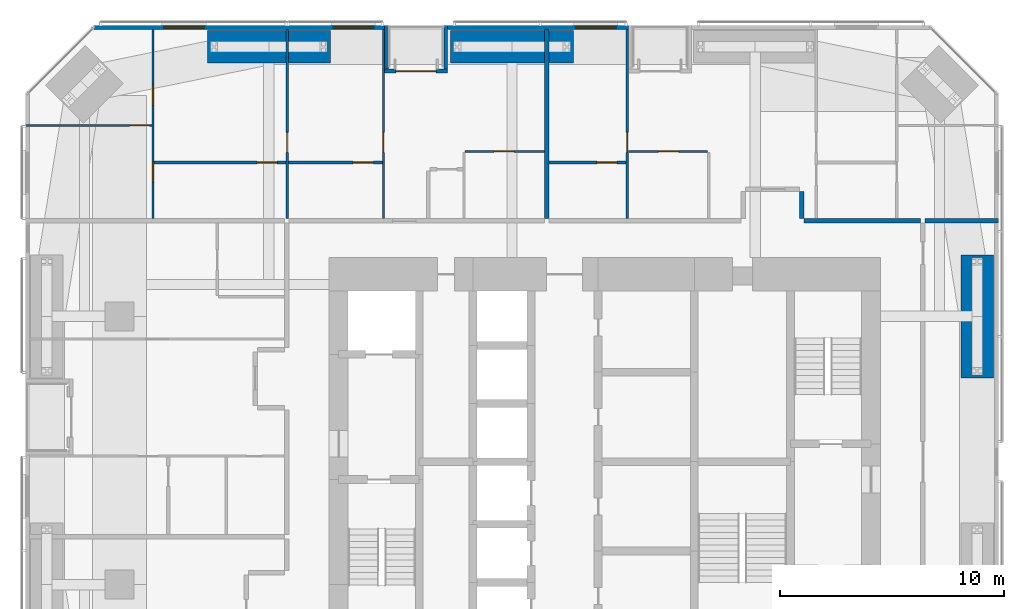
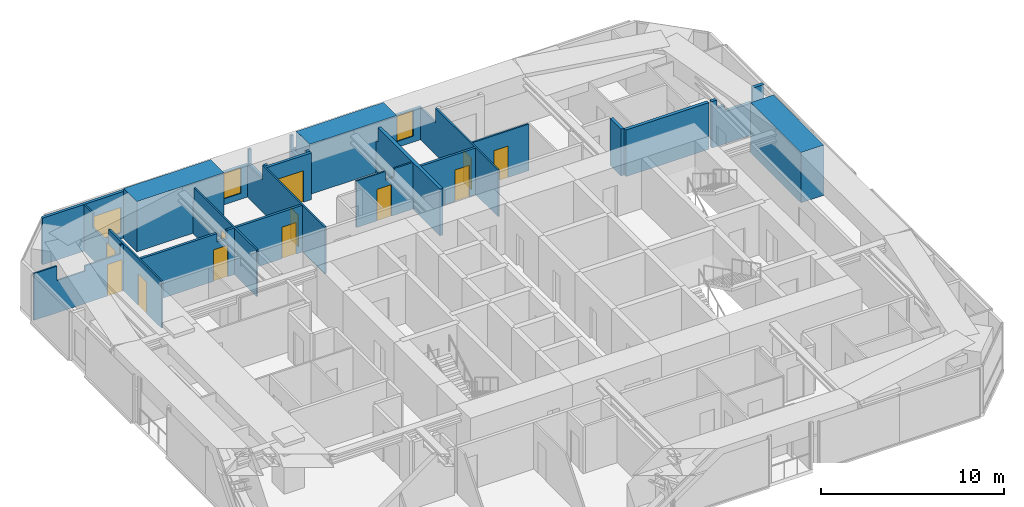
# One storey, part 22 of 24: 22 walls, 12 doors, 3 windows, 15 openings.
"""IFC4 building model written with IfcOpenShell, lengths in metres."""

from ifc_helpers import new_model, si_unit, direction, frame, frame_2d, origin, place, context, subcontext, project, spatial, polyline, rectangle, outline, extrude, material, layer, layer_set, constituent, constituent_set, type_object, element, fill, save


model = new_model("IFC4")

# Units and contexts
model_context = context("Model", 3, precision=1e-05, world=origin(), true_north=direction((0.0, 1.0)))
body_context = subcontext(model_context, "Body", "Model", "MODEL_VIEW")
ifc_project = project(units=[si_unit("LENGTHUNIT", "METRE"), si_unit("AREAUNIT", "SQUARE_METRE"), si_unit("VOLUMEUNIT", "CUBIC_METRE"), si_unit("PLANEANGLEUNIT", "RADIAN"), si_unit("MASSUNIT", "GRAM", prefix="KILO")], contexts=[model_context])

# Site, building, storey
site_placement = place(None, origin())
site = spatial("IfcSite", under=ifc_project, at=site_placement, CompositionType="ELEMENT")
building_placement = place(site_placement, origin())
building = spatial("IfcBuilding", under=site, at=building_placement, Name="Jalousie Tower", CompositionType="ELEMENT")
storey_placement = place(building_placement, frame((0.0, 0.0, 128.300048828125)))
storey = spatial("IfcBuildingStorey", under=building, at=storey_placement, Name="L35", CompositionType="ELEMENT", Elevation=128.300048828125)

# Wall, opening, door
ifc_material_1 = material(Name="Concrete block ASTM C90", Category="concrete")
ifc_constituent_1 = constituent(ifc_material_1, Name="Body")
ifc_material_2 = material(Name="Render")
ifc_constituent_2 = constituent(ifc_material_2, Name="Finish")
ifc_constituent_set_1 = constituent_set(constituents=[ifc_constituent_1, ifc_constituent_2])
wall_type_1 = type_object("IfcWallType", Name="BATHROOM WALL 150", PredefinedType="PLUMBINGWALL", material=ifc_constituent_set_1)
wall_1_placement = place(storey_placement, frame((11.75, 31.875, 0.0), z_axis=(0.0, 0.0, 1.0), x_axis=(1.0, 0.0, 0.0)))
wall_1 = element("IfcWall", 1, at=wall_1_placement, inside=storey, type_object=wall_type_1, Name="Bathroom Wall 150 L35", PredefinedType="PLUMBINGWALL", context=body_context, shape_type="SweptSolid", body=[
    extrude(outline(polyline([(0.0, 0.0), (5.89990234375, 0.0), (5.89990234375, 3.10986328125), (5.4375, 3.10986328125), (5.4375, 2.541015625), (4.8125, 2.541015625), (4.8125, 3.10986328125), (0.0, 3.10986328125), (0.0, 0.0)])), frame((0.0, 0.074951171875, 0.0), z_axis=(0.0, -1.0, 0.0), x_axis=(1.0, 0.0, 0.0)), (0.0, 0.0, 1.0), 0.14990234375),
])
opening_1_placement = place(wall_1_placement, frame((4.60009765625, 0.0, 0.0)))
opening_1 = element("IfcOpeningElement", 2, at=opening_1_placement, cuts=wall_1, Name="Opening D3", PredefinedType="OPENING", context=body_context, shape_type="SweptSolid", body=[
    extrude(rectangle(XDim=0.89990234375, YDim=2.10009765625, at=frame_2d((0.449951171875, 1.050048828125))), frame((0.0, 0.0849609375, 0.0), z_axis=(0.0, -1.0, 0.0), x_axis=(1.0, 0.0, 0.0)), (0.0, 0.0, 1.0), 0.169921875),
])
ifc_material_3 = material(Name="Timber door", Category="wood")
door_type_1 = type_object("IfcDoorType", Name="BATHROOM DOOR 900", OperationType="SINGLE_SWING_LEFT", PredefinedType="DOOR", material=ifc_material_3)
door_1_placement = place(opening_1_placement, frame((0.89990234375, 0.0, 0.0), z_axis=(0.0, 0.0, 1.0), x_axis=(-1.0, 0.0, 0.0)))
door_1 = element("IfcDoor", 3, at=door_1_placement, inside=storey, type_object=door_type_1, Name="Apartment 3503 bedroom 2 bathroom door", OperationType="SINGLE_SWING_LEFT", OverallHeight=2.10009765625, OverallWidth=0.89990234375, PredefinedType="DOOR", context=body_context, shape_type="SweptSolid", body=[
    extrude(rectangle(XDim=0.89990234375, YDim=2.10009765625, at=frame_2d((0.449951171875, 1.050048828125))), frame((0.0, 0.02490234375, 0.0), z_axis=(0.0, -1.0, 0.0), x_axis=(1.0, 0.0, 0.0)), (0.0, 0.0, 1.0), 0.050048828125),
])
fill(opening_1, door_1)

wall_2_placement = place(storey_placement, frame((17.75, 31.875, 0.0), z_axis=(0.0, 0.0, 1.0), x_axis=(1.0, 0.0, 0.0)))
wall_2 = element("IfcWall", 4, at=wall_2_placement, inside=storey, type_object=wall_type_1, Name="Bathroom Wall 150 L35", PredefinedType="PLUMBINGWALL", context=body_context, shape_type="SweptSolid", body=[
    extrude(rectangle(XDim=4.199951171875, YDim=0.14990234375, at=frame_2d((2.10009765625, 0.0))), origin(), (0.0, 0.0, 1.0), 3.10986328125),
])
opening_2_placement = place(wall_2_placement, frame((2.89990234375, 0.0, 0.0)))
opening_2 = element("IfcOpeningElement", 5, at=opening_2_placement, cuts=wall_2, Name="Opening D3", PredefinedType="OPENING", context=body_context, shape_type="SweptSolid", body=[
    extrude(rectangle(XDim=0.89990234375, YDim=2.10009765625, at=frame_2d((0.449951171875, 1.050048828125))), frame((0.0, 0.0849609375, 0.0), z_axis=(0.0, -1.0, 0.0), x_axis=(1.0, 0.0, 0.0)), (0.0, 0.0, 1.0), 0.169921875),
])
door_2_placement = place(opening_2_placement, frame((0.89990234375, 0.0, 0.0), z_axis=(0.0, 0.0, 1.0), x_axis=(-1.0, 0.0, 0.0)))
door_2 = element("IfcDoor", 6, at=door_2_placement, inside=storey, type_object=door_type_1, Name="Apartment 3503 bedroom 3 bathroom door", OperationType="SINGLE_SWING_LEFT", OverallHeight=2.10009765625, OverallWidth=0.89990234375, PredefinedType="DOOR", context=body_context, shape_type="SweptSolid", body=[
    extrude(rectangle(XDim=0.89990234375, YDim=2.10009765625, at=frame_2d((0.449951171875, 1.050048828125))), frame((0.0, 0.02490234375, 0.0), z_axis=(0.0, -1.0, 0.0), x_axis=(1.0, 0.0, 0.0)), (0.0, 0.0, 1.0), 0.050048828125),
])
fill(opening_2, door_2)

wall_3_placement = place(storey_placement, frame((29.39990234375, 31.875, 0.0), z_axis=(0.0, 0.0, 1.0), x_axis=(1.0, 0.0, 0.0)))
wall_3 = element("IfcWall", 7, at=wall_3_placement, inside=storey, type_object=wall_type_1, Name="Bathroom Wall 150 L35", PredefinedType="PLUMBINGWALL", context=body_context, shape_type="SweptSolid", body=[
    extrude(rectangle(XDim=3.4501953125, YDim=0.14990234375, at=frame_2d((1.72509765625, 0.0))), origin(), (0.0, 0.0, 1.0), 3.10986328125),
])
opening_3_placement = place(wall_3_placement, frame((2.14990234375, 0.0, 0.0)))
opening_3 = element("IfcOpeningElement", 8, at=opening_3_placement, cuts=wall_3, Name="Opening D3", PredefinedType="OPENING", context=body_context, shape_type="SweptSolid", body=[
    extrude(rectangle(XDim=0.89990234375, YDim=2.10009765625, at=frame_2d((0.449951171875, 1.050048828125))), frame((0.0, 0.0849609375, 0.0), z_axis=(0.0, -1.0, 0.0), x_axis=(1.0, 0.0, 0.0)), (0.0, 0.0, 1.0), 0.169921875),
])
door_3_placement = place(opening_3_placement, frame((0.89990234375, 0.0, 0.0), z_axis=(0.0, 0.0, 1.0), x_axis=(-1.0, 0.0, 0.0)))
door_3 = element("IfcDoor", 9, at=door_3_placement, inside=storey, type_object=door_type_1, Name="Apartment 3504 bedroom 1 bathroom door", OperationType="SINGLE_SWING_LEFT", OverallHeight=2.10009765625, OverallWidth=0.89990234375, PredefinedType="DOOR", context=body_context, shape_type="SweptSolid", body=[
    extrude(rectangle(XDim=0.89990234375, YDim=2.10009765625, at=frame_2d((0.449951171875, 1.050048828125))), frame((0.0, 0.02490234375, 0.0), z_axis=(0.0, -1.0, 0.0), x_axis=(1.0, 0.0, 0.0)), (0.0, 0.0, 1.0), 0.050048828125),
])
fill(opening_3, door_3)

# Walls
ifc_material_4 = material(Name="Concrete block ASTM C90", Category="concrete")
ifc_constituent_3 = constituent(ifc_material_4, Name="Body")
ifc_material_5 = material(Name="Render")
ifc_constituent_4 = constituent(ifc_material_5, Name="Finish")
ifc_constituent_set_2 = constituent_set(constituents=[ifc_constituent_3, ifc_constituent_4])
wall_type_2 = type_object("IfcWallType", Name="CORRIDOR WALL 200", PredefinedType="PARTITIONING", material=ifc_constituent_set_2)
wall_4_placement = place(storey_placement, frame((40.800048828125, 29.27490234375, 0.0), z_axis=(0.0, 0.0, 1.0), x_axis=(1.0, 0.0, 0.0)))
element("IfcWall", 10, at=wall_4_placement, inside=storey, type_object=wall_type_2, Name="Corridor Wall 200 L35", PredefinedType="PARTITIONING", context=body_context, shape_type="SweptSolid", body=[
    extrude(rectangle(XDim=5.224853515625, YDim=0.199951171875, at=frame_2d((2.6123046875, 0.0))), origin(), (0.0, 0.0, 1.0), 3.10986328125),
])
wall_5_placement = place(storey_placement, frame((40.699951171875, 29.375, 0.0), z_axis=(0.0, 0.0, 1.0), x_axis=(0.0, 1.0, 0.0)))
element("IfcWall", 11, at=wall_5_placement, inside=storey, type_object=wall_type_2, Name="Corridor Wall 200 L35", PredefinedType="PARTITIONING", context=body_context, shape_type="SweptSolid", body=[
    extrude(rectangle(XDim=1.199951171875, YDim=0.199951171875, at=frame_2d((0.60009765625, 0.0))), origin(), (0.0, 0.0, 1.0), 3.10986328125),
])

# Wall, opening, window
ifc_material_6 = material(Name="Concrete f'c 40 MPa", Category="concrete")
ifc_constituent_5 = constituent(ifc_material_6, Name="Body")
ifc_material_7 = material(Name="Render, pastel sea green")
ifc_constituent_6 = constituent(ifc_material_7, Name="Finish")
ifc_constituent_set_3 = constituent_set(constituents=[ifc_constituent_5, ifc_constituent_6])
wall_type_3 = type_object("IfcWallType", Name="EXTERNAL WALL 175 SEA GREEN RENDER", PredefinedType="SOLIDWALL", material=ifc_constituent_set_3)
wall_6_placement = place(storey_placement, frame((32.949951171875, 37.91259765625, 0.0), z_axis=(0.0, 0.0, 1.0), x_axis=(-1.0, 0.0, 0.0)))
wall_6 = element("IfcWall", 12, at=wall_6_placement, inside=storey, type_object=wall_type_3, Name="External Wall 175 Sea Green Render L35", PredefinedType="SOLIDWALL", context=body_context, shape_type="SweptSolid", body=[
    extrude(rectangle(XDim=8.074951171875, YDim=0.175048828125, at=frame_2d((4.03759765625, 0.0))), origin(), (0.0, 0.0, 1.0), 2.14990234375),
])
opening_4_placement = place(wall_6_placement, frame((0.550048828125, 0.0, 0.39990234375)))
opening_4 = element("IfcOpeningElement", 13, at=opening_4_placement, cuts=wall_6, Name="Opening W-BED170", PredefinedType="OPENING", context=body_context, shape_type="SweptSolid", body=[
    extrude(rectangle(XDim=1.800048828125, YDim=1.699951171875, at=frame_2d((0.89990234375, 0.85009765625))), frame((0.0, 0.097412109375, 0.0), z_axis=(0.0, -1.0, 0.0), x_axis=(1.0, 0.0, 0.0)), (0.0, 0.0, 1.0), 0.195068359375),
])
ifc_material_8 = material(Name="Aluminium frame, impact-rated glazing", Category="aluminium")
window_type = type_object("IfcWindowType", Name="WINDOW BED 1800x1700", PartitioningType="SINGLE_PANEL", PredefinedType="WINDOW", material=ifc_material_8)
window_1_placement = place(opening_4_placement, origin())
window_1 = element("IfcWindow", 14, at=window_1_placement, inside=storey, type_object=window_type, Name="Apartment 3504 bedroom 1 window", OverallHeight=1.699951171875, OverallWidth=1.800048828125, PartitioningType="SINGLE_PANEL", PredefinedType="WINDOW", context=body_context, shape_type="SweptSolid", body=[
    extrude(rectangle(XDim=1.800048828125, YDim=1.699951171875, at=frame_2d((0.89990234375, 0.85009765625))), frame((0.0, 0.030029296875, 0.0), z_axis=(0.0, -1.0, 0.0), x_axis=(1.0, 0.0, 0.0)), (0.0, 0.0, 1.0), 0.06005859375),
])
fill(opening_4, window_1)

# Wall, openings, windows
wall_7_placement = place(storey_placement, frame((22.050048828125, 37.91259765625, 0.0), z_axis=(0.0, 0.0, 1.0), x_axis=(-1.0, 0.0, 0.0)))
wall_7 = element("IfcWall", 15, at=wall_7_placement, inside=storey, type_object=wall_type_3, Name="External Wall 175 Sea Green Render L35", PredefinedType="SOLIDWALL", context=body_context, shape_type="SweptSolid", body=[
    extrude(outline(polyline([(0.0, 0.0), (12.998779296875, 0.0), (12.998779296875, 3.10986328125), (5.37841796875, 3.10986328125), (5.37841796875, 2.14990234375), (5.3330078125, 2.14990234375), (5.3330078125, 3.10986328125), (5.175048828125, 3.10986328125), (5.175048828125, 2.14990234375), (0.0, 2.14990234375), (0.0, 0.0)])), frame((0.0, 0.08740234375, 0.0), z_axis=(0.0, -1.0, 0.0), x_axis=(1.0, 0.0, 0.0)), (0.0, 0.0, 1.0), 0.175048828125),
])
opening_5_placement = place(wall_7_placement, frame((0.492431640625, 0.0, 0.39990234375)))
opening_5 = element("IfcOpeningElement", 16, at=opening_5_placement, cuts=wall_7, Name="Opening W-BED170", PredefinedType="OPENING", context=body_context, shape_type="SweptSolid", body=[
    extrude(rectangle(XDim=1.800048828125, YDim=1.699951171875, at=frame_2d((0.89990234375, 0.85009765625))), frame((0.0, 0.097412109375, 0.0), z_axis=(0.0, -1.0, 0.0), x_axis=(1.0, 0.0, 0.0)), (0.0, 0.0, 1.0), 0.195068359375),
])
opening_6_placement = place(wall_7_placement, frame((8.06494140625, 0.0, 0.39990234375)))
opening_6 = element("IfcOpeningElement", 17, at=opening_6_placement, cuts=wall_7, Name="Opening W-BED170", PredefinedType="OPENING", context=body_context, shape_type="SweptSolid", body=[
    extrude(rectangle(XDim=1.800048828125, YDim=1.699951171875, at=frame_2d((0.89990234375, 0.85009765625))), frame((0.0, 0.097412109375, 0.0), z_axis=(0.0, -1.0, 0.0), x_axis=(1.0, 0.0, 0.0)), (0.0, 0.0, 1.0), 0.195068359375),
])
window_2_placement = place(opening_5_placement, origin())
window_2 = element("IfcWindow", 18, at=window_2_placement, inside=storey, type_object=window_type, Name="Apartment 3503 bedroom 3 window", OverallHeight=1.699951171875, OverallWidth=1.800048828125, PartitioningType="SINGLE_PANEL", PredefinedType="WINDOW", context=body_context, shape_type="SweptSolid", body=[
    extrude(rectangle(XDim=1.800048828125, YDim=1.699951171875, at=frame_2d((0.89990234375, 0.85009765625))), frame((0.0, 0.030029296875, 0.0), z_axis=(0.0, -1.0, 0.0), x_axis=(1.0, 0.0, 0.0)), (0.0, 0.0, 1.0), 0.06005859375),
])
fill(opening_5, window_2)
window_3_placement = place(opening_6_placement, origin())
window_3 = element("IfcWindow", 19, at=window_3_placement, inside=storey, type_object=window_type, Name="Apartment 3503 bedroom 2 window", OverallHeight=1.699951171875, OverallWidth=1.800048828125, PartitioningType="SINGLE_PANEL", PredefinedType="WINDOW", context=body_context, shape_type="SweptSolid", body=[
    extrude(rectangle(XDim=1.800048828125, YDim=1.699951171875, at=frame_2d((0.89990234375, 0.85009765625))), frame((0.0, 0.030029296875, 0.0), z_axis=(0.0, -1.0, 0.0), x_axis=(1.0, 0.0, 0.0)), (0.0, 0.0, 1.0), 0.06005859375),
])
fill(opening_6, window_3)

# Wall, opening, door
wall_8_placement = place(storey_placement, frame((24.875, 35.96240234375, 0.0), z_axis=(0.0, 0.0, 1.0), x_axis=(-1.0, 0.0, 0.0)))
wall_8 = element("IfcWall", 20, at=wall_8_placement, inside=storey, type_object=wall_type_3, Name="External Wall 175 Sea Green Render L35", PredefinedType="SOLIDWALL", context=body_context, shape_type="SweptSolid", body=[
    extrude(rectangle(XDim=2.824951171875, YDim=0.175048828125, at=frame_2d((1.41259765625, 0.0))), origin(), (0.0, 0.0, 1.0), 3.10986328125),
])
opening_7_placement = place(wall_8_placement, frame((0.512451171875, 0.0, 0.0)))
opening_7 = element("IfcOpeningElement", 21, at=opening_7_placement, cuts=wall_8, Name="Opening D-BAL21", PredefinedType="OPENING", context=body_context, shape_type="SweptSolid", body=[
    extrude(rectangle(XDim=1.800048828125, YDim=2.10009765625, at=frame_2d((0.89990234375, 1.050048828125))), frame((0.0, 0.097412109375, 0.0), z_axis=(0.0, -1.0, 0.0), x_axis=(1.0, 0.0, 0.0)), (0.0, 0.0, 1.0), 0.195068359375),
])
ifc_material_9 = material(Name="Aluminium frame, impact-rated glazing", Category="aluminium")
door_type_2 = type_object("IfcDoorType", Name="BALCONY DOOR 1800x2100", OperationType="SLIDING_TO_LEFT", PredefinedType="DOOR", material=ifc_material_9)
door_4_placement = place(opening_7_placement, origin())
door_4 = element("IfcDoor", 22, at=door_4_placement, inside=storey, type_object=door_type_2, Name="Apartment 3503 living and dining room loggia door", OperationType="SLIDING_TO_LEFT", OverallHeight=2.10009765625, OverallWidth=1.800048828125, PredefinedType="DOOR", context=body_context, shape_type="SweptSolid", body=[
    extrude(rectangle(XDim=1.800048828125, YDim=2.10009765625, at=frame_2d((0.89990234375, 1.050048828125))), frame((0.0, 0.02490234375, 0.0), z_axis=(0.0, -1.0, 0.0), x_axis=(1.0, 0.0, 0.0)), (0.0, 0.0, 1.0), 0.050048828125),
])
fill(opening_7, door_4)

# Walls
for number, where, z_axis, x_axis, name in (
    (23, (24.78759765625, 38.0, 0.0), (0.0, 0.0, 1.0), (0.0, -1.0, 0.0), "External Wall 175 Sea Green Render L35"),
    (24, (22.137451171875, 38.0, 0.0), (0.0, 0.0, 1.0), (0.0, -1.0, 0.0), "External Wall 175 Sea Green Render L35"),
):
    element("IfcWall", number, at=place(storey_placement, frame(where, z_axis=z_axis, x_axis=x_axis)), inside=storey, type_object=wall_type_3, Name=name, PredefinedType="SOLIDWALL", context=body_context, shape_type="SweptSolid", body=[
        extrude(outline(polyline([(0.0, 0.0), (1.949951171875, 0.0), (1.949951171875, 3.10986328125), (1.75, 3.10986328125), (1.75, 2.14990234375), (0.14990234375, 2.14990234375), (0.14990234375, 3.10986328125), (0.0, 3.10986328125), (0.0, 0.0)])), frame((0.0, 0.08740234375, 0.0), z_axis=(0.0, -1.0, 0.0), x_axis=(1.0, 0.0, 0.0)), (0.0, 0.0, 1.0), 0.175048828125),
    ])

# Wall, openings, doors
ifc_material_10 = material(Name="Gypsum board", Category="gypsum")
ifc_constituent_7 = constituent(ifc_material_10, Name="Body")
ifc_material_11 = material(Name="Light-gauge steel studs ASTM A653 SS Grade 33", Category="steel")
ifc_constituent_8 = constituent(ifc_material_11, Name="Framing")
ifc_constituent_set_4 = constituent_set(constituents=[ifc_constituent_7, ifc_constituent_8])
wall_type_4 = type_object("IfcWallType", Name="PARTITION 100", PredefinedType="PARTITIONING", material=ifc_constituent_set_4)
wall_9_placement = place(storey_placement, frame((11.699951171875, 37.824951171875, 0.0), z_axis=(0.0, 0.0, 1.0), x_axis=(0.0, -1.0, 0.0)))
wall_9 = element("IfcWall", 25, at=wall_9_placement, inside=storey, type_object=wall_type_4, Name="Partition 100 L35", PredefinedType="PARTITIONING", context=body_context, shape_type="SweptSolid", body=[
    extrude(outline(polyline([(0.0, 0.0), (8.449951171875, 0.0), (8.449951171875, 3.10986328125), (2.708251953125, 3.10986328125), (2.708251953125, 2.14990234375), (0.952880859375, 2.14990234375), (0.952880859375, 3.10986328125), (0.0, 3.10986328125), (0.0, 0.0)])), frame((0.0, 0.050048828125, 0.0), z_axis=(0.0, -1.0, 0.0), x_axis=(1.0, 0.0, 0.0)), (0.0, 0.0, 1.0), 0.10009765625),
])
opening_8_placement = place(wall_9_placement, frame((2.48876953125, 0.0, 0.0)))
opening_8 = element("IfcOpeningElement", 26, at=opening_8_placement, cuts=wall_9, Name="Opening D2", PredefinedType="OPENING", context=body_context, shape_type="SweptSolid", body=[
    extrude(rectangle(XDim=0.89990234375, YDim=2.10009765625, at=frame_2d((0.449951171875, 1.050048828125))), frame((0.0, 0.06005859375, 0.0), z_axis=(0.0, -1.0, 0.0), x_axis=(1.0, 0.0, 0.0)), (0.0, 0.0, 1.0), 0.1201171875),
])
opening_9_placement = place(wall_9_placement, frame((5.91943359375, 0.0, 0.0)))
opening_9 = element("IfcOpeningElement", 27, at=opening_9_placement, cuts=wall_9, Name="Opening D3", PredefinedType="OPENING", context=body_context, shape_type="SweptSolid", body=[
    extrude(rectangle(XDim=0.89990234375, YDim=2.10009765625, at=frame_2d((0.449951171875, 1.050048828125))), frame((0.0, 0.06005859375, 0.0), z_axis=(0.0, -1.0, 0.0), x_axis=(1.0, 0.0, 0.0)), (0.0, 0.0, 1.0), 0.1201171875),
])
door_5_placement = place(opening_9_placement, origin())
door_5 = element("IfcDoor", 28, at=door_5_placement, inside=storey, type_object=door_type_1, Name="Apartment 3503 bedroom 1 bathroom door", OperationType="SINGLE_SWING_RIGHT", OverallHeight=2.10009765625, OverallWidth=0.89990234375, PredefinedType="DOOR", context=body_context, shape_type="SweptSolid", body=[
    extrude(rectangle(XDim=0.89990234375, YDim=2.10009765625, at=frame_2d((0.449951171875, 1.050048828125))), frame((0.0, 0.02490234375, 0.0), z_axis=(0.0, -1.0, 0.0), x_axis=(1.0, 0.0, 0.0)), (0.0, 0.0, 1.0), 0.050048828125),
])
fill(opening_9, door_5)
ifc_material_12 = material(Name="Timber door", Category="wood")
door_type_3 = type_object("IfcDoorType", Name="BEDROOM DOOR 900", OperationType="SINGLE_SWING_LEFT", PredefinedType="DOOR", material=ifc_material_12)
door_6_placement = place(opening_8_placement, origin())
door_6 = element("IfcDoor", 29, at=door_6_placement, inside=storey, type_object=door_type_3, Name="Apartment 3503 bedroom 1 door", OperationType="SINGLE_SWING_RIGHT", OverallHeight=2.10009765625, OverallWidth=0.89990234375, PredefinedType="DOOR", context=body_context, shape_type="SweptSolid", body=[
    extrude(rectangle(XDim=0.89990234375, YDim=2.10009765625, at=frame_2d((0.449951171875, 1.050048828125))), frame((0.0, 0.02490234375, 0.0), z_axis=(0.0, -1.0, 0.0), x_axis=(1.0, 0.0, 0.0)), (0.0, 0.0, 1.0), 0.050048828125),
])
fill(opening_8, door_6)

# Wall, opening, door
wall_10_placement = place(storey_placement, frame((17.699951171875, 37.824951171875, 0.0), z_axis=(0.0, 0.0, 1.0), x_axis=(0.0, -1.0, 0.0)))
wall_10 = element("IfcWall", 30, at=wall_10_placement, inside=storey, type_object=wall_type_4, Name="Partition 100 L35", PredefinedType="PARTITIONING", context=body_context, shape_type="SweptSolid", body=[
    extrude(outline(polyline([(1.635009765625, 2.14990234375), (0.0, 2.14990234375), (0.0, 0.0), (8.449951171875, 0.0), (8.449951171875, 3.10986328125), (1.635009765625, 3.10986328125), (1.635009765625, 2.14990234375)]), holes=[polyline([(1.021240234375, 0.115966796875), (0.52880859375, 0.115966796875), (0.52880859375, 0.90576171875), (1.021240234375, 0.90576171875), (1.021240234375, 0.115966796875)]), polyline([(1.021240234375, 1.244140625), (0.52880859375, 1.244140625), (0.52880859375, 2.033935546875), (1.021240234375, 2.033935546875), (1.021240234375, 1.244140625)])]), frame((0.0, 0.050048828125, 0.0), z_axis=(0.0, -1.0, 0.0), x_axis=(1.0, 0.0, 0.0)), (0.0, 0.0, 1.0), 0.10009765625),
])
opening_10_placement = place(wall_10_placement, frame((4.60009765625, 0.0, 0.0)))
opening_10 = element("IfcOpeningElement", 31, at=opening_10_placement, cuts=wall_10, Name="Opening D2", PredefinedType="OPENING", context=body_context, shape_type="SweptSolid", body=[
    extrude(rectangle(XDim=0.89990234375, YDim=2.10009765625, at=frame_2d((0.449951171875, 1.050048828125))), frame((0.0, 0.06005859375, 0.0), z_axis=(0.0, -1.0, 0.0), x_axis=(1.0, 0.0, 0.0)), (0.0, 0.0, 1.0), 0.1201171875),
])
door_7_placement = place(opening_10_placement, frame((0.89990234375, 0.0, 0.0), z_axis=(0.0, 0.0, 1.0), x_axis=(-1.0, 0.0, 0.0)))
door_7 = element("IfcDoor", 32, at=door_7_placement, inside=storey, type_object=door_type_3, Name="Apartment 3503 bedroom 2 door", OperationType="SINGLE_SWING_LEFT", OverallHeight=2.10009765625, OverallWidth=0.89990234375, PredefinedType="DOOR", context=body_context, shape_type="SweptSolid", body=[
    extrude(rectangle(XDim=0.89990234375, YDim=2.10009765625, at=frame_2d((0.449951171875, 1.050048828125))), frame((0.0, 0.02490234375, 0.0), z_axis=(0.0, -1.0, 0.0), x_axis=(1.0, 0.0, 0.0)), (0.0, 0.0, 1.0), 0.050048828125),
])
fill(opening_10, door_7)

wall_11_placement = place(storey_placement, frame((22.0, 37.824951171875, 0.0), z_axis=(0.0, 0.0, 1.0), x_axis=(0.0, -1.0, 0.0)))
wall_11 = element("IfcWall", 33, at=wall_11_placement, inside=storey, type_object=wall_type_4, Name="Partition 100 L35", PredefinedType="PARTITIONING", context=body_context, shape_type="SweptSolid", body=[
    extrude(outline(polyline([(0.0, 0.0), (8.449951171875, 0.0), (8.449951171875, 3.10986328125), (1.635009765625, 3.10986328125), (1.635009765625, 2.14990234375), (0.0, 2.14990234375), (0.0, 3.10986328125), (0.0, 0.0)])), frame((0.0, 0.050048828125, 0.0), z_axis=(0.0, -1.0, 0.0), x_axis=(1.0, 0.0, 0.0)), (0.0, 0.0, 1.0), 0.10009765625),
])
opening_11_placement = place(wall_11_placement, frame((4.60009765625, 0.0, 0.0)))
opening_11 = element("IfcOpeningElement", 34, at=opening_11_placement, cuts=wall_11, Name="Opening D2", PredefinedType="OPENING", context=body_context, shape_type="SweptSolid", body=[
    extrude(rectangle(XDim=0.89990234375, YDim=2.10009765625, at=frame_2d((0.449951171875, 1.050048828125))), frame((0.0, 0.06005859375, 0.0), z_axis=(0.0, -1.0, 0.0), x_axis=(1.0, 0.0, 0.0)), (0.0, 0.0, 1.0), 0.1201171875),
])
door_8_placement = place(opening_11_placement, frame((0.89990234375, 0.0, 0.0), z_axis=(0.0, 0.0, 1.0), x_axis=(-1.0, 0.0, 0.0)))
door_8 = element("IfcDoor", 35, at=door_8_placement, inside=storey, type_object=door_type_3, Name="Apartment 3503 bedroom 3 door", OperationType="SINGLE_SWING_LEFT", OverallHeight=2.10009765625, OverallWidth=0.89990234375, PredefinedType="DOOR", context=body_context, shape_type="SweptSolid", body=[
    extrude(rectangle(XDim=0.89990234375, YDim=2.10009765625, at=frame_2d((0.449951171875, 1.050048828125))), frame((0.0, 0.02490234375, 0.0), z_axis=(0.0, -1.0, 0.0), x_axis=(1.0, 0.0, 0.0)), (0.0, 0.0, 1.0), 0.050048828125),
])
fill(opening_11, door_8)

wall_12_placement = place(storey_placement, frame((6.0, 33.5361328125, 0.0), z_axis=(0.0, 0.0, 1.0), x_axis=(1.0, 0.0, 0.0)))
wall_12 = element("IfcWall", 36, at=wall_12_placement, inside=storey, type_object=wall_type_4, Name="Partition 100 L35", PredefinedType="PARTITIONING", context=body_context, shape_type="SweptSolid", body=[
    extrude(outline(polyline([(0.0, 0.0), (5.64990234375, 0.0), (5.64990234375, 3.10986328125), (5.4599609375, 3.10986328125), (5.4599609375, 2.510009765625), (3.20556640625, 2.510009765625), (3.20556640625, 2.14990234375), (1.462890625, 2.14990234375), (1.462890625, 3.10986328125), (0.0, 3.10986328125), (0.0, 0.0)])), frame((0.0, 0.050048828125, 0.0), z_axis=(0.0, -1.0, 0.0), x_axis=(1.0, 0.0, 0.0)), (0.0, 0.0, 1.0), 0.10009765625),
])
opening_12_placement = place(wall_12_placement, frame((4.64990234375, 0.0, 0.0)))
opening_12 = element("IfcOpeningElement", 37, at=opening_12_placement, cuts=wall_12, Name="Opening D7", PredefinedType="OPENING", context=body_context, shape_type="SweptSolid", body=[
    extrude(rectangle(XDim=0.89990234375, YDim=2.10009765625, at=frame_2d((0.449951171875, 1.050048828125))), frame((0.0, 0.06005859375, 0.0), z_axis=(0.0, -1.0, 0.0), x_axis=(1.0, 0.0, 0.0)), (0.0, 0.0, 1.0), 0.1201171875),
])
ifc_material_13 = material(Name="Timber door", Category="wood")
door_type_4 = type_object("IfcDoorType", Name="INTERNAL DOOR 900", OperationType="SINGLE_SWING_LEFT", PredefinedType="DOOR", material=ifc_material_13)
door_9_placement = place(opening_12_placement, frame((0.89990234375, 0.0, 0.0), z_axis=(0.0, 0.0, 1.0), x_axis=(-1.0, 0.0, 0.0)))
door_9 = element("IfcDoor", 38, at=door_9_placement, inside=storey, type_object=door_type_4, Name="Apartment 3503 bedroom 1 dressing hall door", OperationType="SINGLE_SWING_LEFT", OverallHeight=2.10009765625, OverallWidth=0.89990234375, PredefinedType="DOOR", context=body_context, shape_type="SweptSolid", body=[
    extrude(rectangle(XDim=0.89990234375, YDim=2.10009765625, at=frame_2d((0.449951171875, 1.050048828125))), frame((0.0, 0.02490234375, 0.0), z_axis=(0.0, -1.0, 0.0), x_axis=(1.0, 0.0, 0.0)), (0.0, 0.0, 1.0), 0.050048828125),
])
fill(opening_12, door_9)

wall_13_placement = place(storey_placement, frame((25.64990234375, 32.375, 0.0), z_axis=(0.0, 0.0, 1.0), x_axis=(1.0, 0.0, 0.0)))
wall_13 = element("IfcWall", 39, at=wall_13_placement, inside=storey, type_object=wall_type_4, Name="Partition 100 L35", PredefinedType="PARTITIONING", context=body_context, shape_type="SweptSolid", body=[
    extrude(outline(polyline([(0.0, 0.0), (3.550048828125, 0.0), (3.550048828125, 3.10986328125), (2.38720703125, 3.10986328125), (2.38720703125, 2.541015625), (1.8125, 2.541015625), (1.8125, 3.10986328125), (0.0, 3.10986328125), (0.0, 0.0)])), frame((0.0, 0.050048828125, 0.0), z_axis=(0.0, -1.0, 0.0), x_axis=(1.0, 0.0, 0.0)), (0.0, 0.0, 1.0), 0.10009765625),
])
opening_13_placement = place(wall_13_placement, frame((1.300048828125, 0.0, 0.0)))
opening_13 = element("IfcOpeningElement", 40, at=opening_13_placement, cuts=wall_13, Name="Opening D7", PredefinedType="OPENING", context=body_context, shape_type="SweptSolid", body=[
    extrude(rectangle(XDim=0.89990234375, YDim=2.10009765625, at=frame_2d((0.449951171875, 1.050048828125))), frame((0.0, 0.06005859375, 0.0), z_axis=(0.0, -1.0, 0.0), x_axis=(1.0, 0.0, 0.0)), (0.0, 0.0, 1.0), 0.1201171875),
])
door_10_placement = place(opening_13_placement, origin())
door_10 = element("IfcDoor", 41, at=door_10_placement, inside=storey, type_object=door_type_4, Name="Apartment 3503 kitchen door", OperationType="SINGLE_SWING_RIGHT", OverallHeight=2.10009765625, OverallWidth=0.89990234375, PredefinedType="DOOR", context=body_context, shape_type="SweptSolid", body=[
    extrude(rectangle(XDim=0.89990234375, YDim=2.10009765625, at=frame_2d((0.449951171875, 1.050048828125))), frame((0.0, 0.02490234375, 0.0), z_axis=(0.0, -1.0, 0.0), x_axis=(1.0, 0.0, 0.0)), (0.0, 0.0, 1.0), 0.050048828125),
])
fill(opening_13, door_10)

wall_14_placement = place(storey_placement, frame((32.89990234375, 37.824951171875, 0.0), z_axis=(0.0, 0.0, 1.0), x_axis=(0.0, -1.0, 0.0)))
wall_14 = element("IfcWall", 42, at=wall_14_placement, inside=storey, type_object=wall_type_4, Name="Partition 100 L35", PredefinedType="PARTITIONING", context=body_context, shape_type="SweptSolid", body=[
    extrude(outline(polyline([(0.0, 0.0), (8.449951171875, 0.0), (8.449951171875, 3.10986328125), (1.635009765625, 3.10986328125), (1.635009765625, 2.14990234375), (0.0, 2.14990234375), (0.0, 3.10986328125), (0.0, 0.0)])), frame((0.0, 0.050048828125, 0.0), z_axis=(0.0, -1.0, 0.0), x_axis=(1.0, 0.0, 0.0)), (0.0, 0.0, 1.0), 0.10009765625),
])
opening_14_placement = place(wall_14_placement, frame((4.60009765625, 0.0, 0.0)))
opening_14 = element("IfcOpeningElement", 43, at=opening_14_placement, cuts=wall_14, Name="Opening D2", PredefinedType="OPENING", context=body_context, shape_type="SweptSolid", body=[
    extrude(rectangle(XDim=0.89990234375, YDim=2.10009765625, at=frame_2d((0.449951171875, 1.050048828125))), frame((0.0, 0.06005859375, 0.0), z_axis=(0.0, -1.0, 0.0), x_axis=(1.0, 0.0, 0.0)), (0.0, 0.0, 1.0), 0.1201171875),
])
door_11_placement = place(opening_14_placement, frame((0.89990234375, 0.0, 0.0), z_axis=(0.0, 0.0, 1.0), x_axis=(-1.0, 0.0, 0.0)))
door_11 = element("IfcDoor", 44, at=door_11_placement, inside=storey, type_object=door_type_3, Name="Apartment 3504 bedroom 1 door", OperationType="SINGLE_SWING_LEFT", OverallHeight=2.10009765625, OverallWidth=0.89990234375, PredefinedType="DOOR", context=body_context, shape_type="SweptSolid", body=[
    extrude(rectangle(XDim=0.89990234375, YDim=2.10009765625, at=frame_2d((0.449951171875, 1.050048828125))), frame((0.0, 0.02490234375, 0.0), z_axis=(0.0, -1.0, 0.0), x_axis=(1.0, 0.0, 0.0)), (0.0, 0.0, 1.0), 0.050048828125),
])
fill(opening_14, door_11)

wall_15_placement = place(storey_placement, frame((32.949951171875, 32.375, 0.0), z_axis=(0.0, 0.0, 1.0), x_axis=(1.0, 0.0, 0.0)))
wall_15 = element("IfcWall", 45, at=wall_15_placement, inside=storey, type_object=wall_type_4, Name="Partition 100 L35", PredefinedType="PARTITIONING", context=body_context, shape_type="SweptSolid", body=[
    extrude(rectangle(XDim=3.550048828125, YDim=0.10009765625, at=frame_2d((1.77490234375, 0.0))), origin(), (0.0, 0.0, 1.0), 3.10986328125),
])
opening_15_placement = place(wall_15_placement, frame((1.35009765625, 0.0, 0.0)))
opening_15 = element("IfcOpeningElement", 46, at=opening_15_placement, cuts=wall_15, Name="Opening D7", PredefinedType="OPENING", context=body_context, shape_type="SweptSolid", body=[
    extrude(rectangle(XDim=0.89990234375, YDim=2.10009765625, at=frame_2d((0.449951171875, 1.050048828125))), frame((0.0, 0.06005859375, 0.0), z_axis=(0.0, -1.0, 0.0), x_axis=(1.0, 0.0, 0.0)), (0.0, 0.0, 1.0), 0.1201171875),
])
door_12_placement = place(opening_15_placement, origin())
door_12 = element("IfcDoor", 47, at=door_12_placement, inside=storey, type_object=door_type_4, Name="Apartment 3504 kitchen door", OperationType="SINGLE_SWING_LEFT", OverallHeight=2.10009765625, OverallWidth=0.89990234375, PredefinedType="DOOR", context=body_context, shape_type="SweptSolid", body=[
    extrude(rectangle(XDim=0.89990234375, YDim=2.10009765625, at=frame_2d((0.449951171875, 1.050048828125))), frame((0.0, 0.02490234375, 0.0), z_axis=(0.0, -1.0, 0.0), x_axis=(1.0, 0.0, 0.0)), (0.0, 0.0, 1.0), 0.050048828125),
])
fill(opening_15, door_12)

# Walls
ifc_material_14 = material(Name="Concrete block ASTM C90", Category="concrete")
ifc_constituent_9 = constituent(ifc_material_14, Name="Body")
ifc_material_15 = material(Name="Render")
ifc_constituent_10 = constituent(ifc_material_15, Name="Finish")
ifc_constituent_set_5 = constituent_set(constituents=[ifc_constituent_9, ifc_constituent_10])
wall_type_5 = type_object("IfcWallType", Name="PARTY WALL 200", PredefinedType="PARTITIONING", material=ifc_constituent_set_5)
wall_16_placement = place(storey_placement, frame((29.300048828125, 37.824951171875, 0.0), z_axis=(0.0, 0.0, 1.0), x_axis=(0.0, -1.0, 0.0)))
element("IfcWall", 48, at=wall_16_placement, inside=storey, type_object=wall_type_5, Name="Party Wall 200 L35", PredefinedType="PARTITIONING", context=body_context, shape_type="SweptSolid", body=[
    extrude(outline(polyline([(0.52880859375, 2.14990234375), (0.0, 2.14990234375), (0.0, 0.0), (0.52880859375, 0.0), (0.52880859375, 0.4443359375), (1.021240234375, 0.4443359375), (1.021240234375, 0.0), (8.449951171875, 0.0), (8.449951171875, 3.10986328125), (1.68505859375, 3.10986328125), (1.68505859375, 2.14990234375), (1.021240234375, 2.14990234375), (1.021240234375, 1.70556640625), (0.52880859375, 1.70556640625), (0.52880859375, 2.14990234375)])), frame((0.0, 0.10009765625, 0.0), z_axis=(0.0, -1.0, 0.0), x_axis=(1.0, 0.0, 0.0)), (0.0, 0.0, 1.0), 0.199951171875),
])
wall_17_placement = place(storey_placement, frame((46.22509765625, 29.27490234375, 0.0), z_axis=(0.0, 0.0, 1.0), x_axis=(1.0, 0.0, 0.0)))
element("IfcWall", 49, at=wall_17_placement, inside=storey, type_object=wall_type_5, Name="Party Wall 200 L35", PredefinedType="PARTITIONING", context=body_context, shape_type="SweptSolid", body=[
    extrude(outline(polyline([(0.0, 0.0), (3.27490234375, 0.0), (3.27490234375, 3.10986328125), (2.5537109375, 3.10986328125), (2.5537109375, 2.14990234375), (0.80517578125, 2.14990234375), (0.80517578125, 2.541015625), (0.30615234375, 2.541015625), (0.30615234375, 3.10986328125), (0.0, 3.10986328125), (0.0, 0.0)])), frame((0.0, 0.10009765625, 0.0), z_axis=(0.0, -1.0, 0.0), x_axis=(1.0, 0.0, 0.0)), (0.0, 0.0, 1.0), 0.199951171875),
])
ifc_material_16 = material(Name="Concrete f'c 120 MPa", Category="concrete")
ifc_layer = layer(ifc_material_16, 1.449951171875)
ifc_layer_set = layer_set([ifc_layer], Name="Concrete f'c 120 MPa")
wall_type_6 = type_object("IfcWallType", Name="RC WALL PIER 1450", PredefinedType="SHEAR", material=ifc_layer_set)
for number, where, z_axis, x_axis, name in (
    (50, (48.550048828125, 22.25, 0.0), (0.0, 0.0, 1.0), (0.0, 1.0, 0.0), "Wall pier 07 L35"),
    (51, (25.0, 37.050048828125, 0.0), (0.0, 0.0, 1.0), (1.0, 0.0, 0.0), "Wall pier 10 L35"),
    (52, (14.125, 37.050048828125, 0.0), (0.0, 0.0, 1.0), (1.0, 0.0, 0.0), "Wall pier 11 L35"),
):
    element("IfcWall", number, at=place(storey_placement, frame(where, z_axis=z_axis, x_axis=x_axis)), inside=storey, type_object=wall_type_6, Name=name, PredefinedType="SHEAR", context=body_context, shape_type="SweptSolid", body=[
        extrude(rectangle(XDim=5.5, YDim=1.449951171875, at=frame_2d((2.75, 0.0))), origin(), (0.0, 0.0, 1.0), 3.349853515625),
    ])

save(model, "model.ifc")
